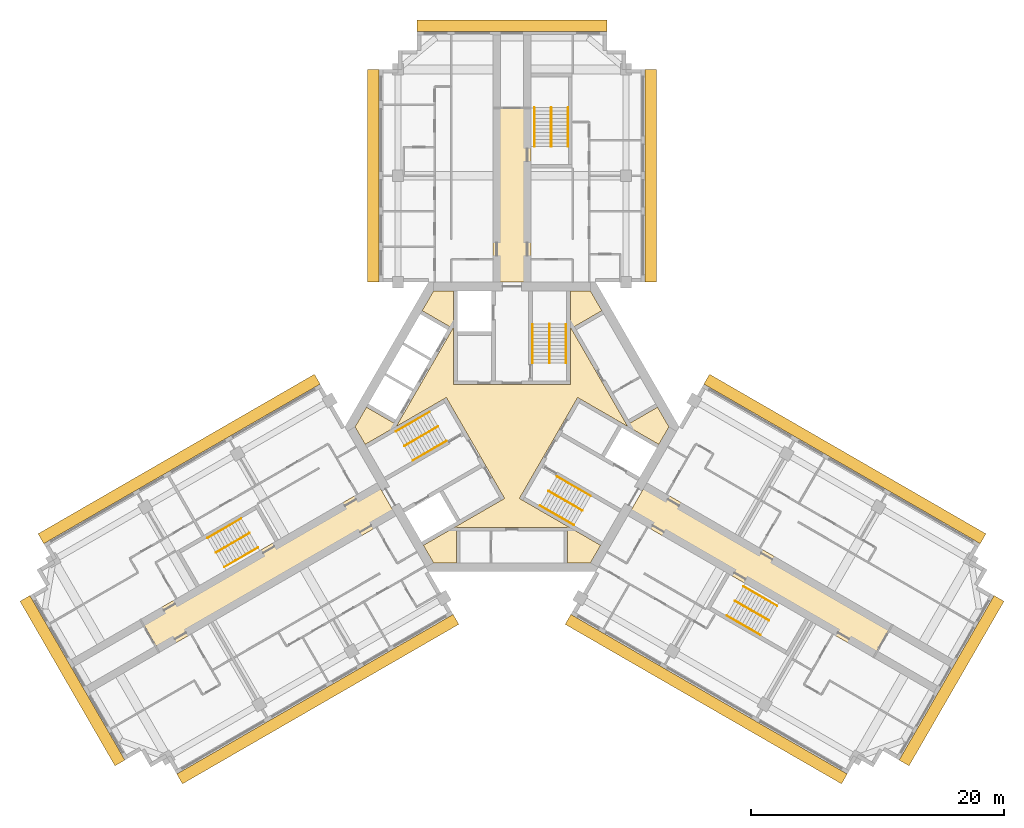
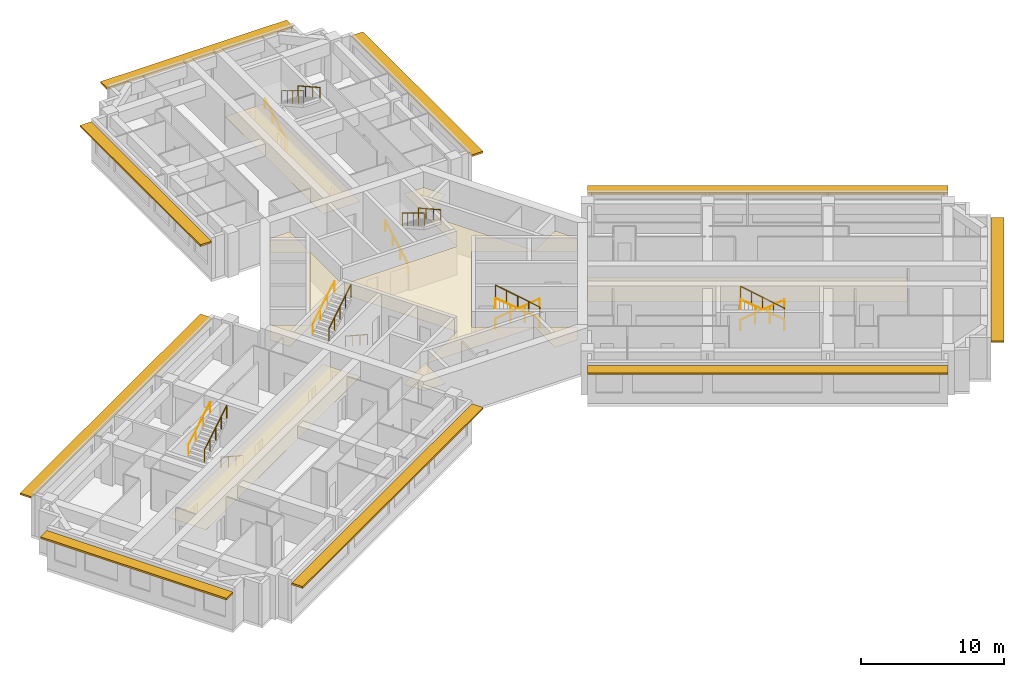
# One storey, part 10 of 10: 18 railings, 4 coverings, 3 shading devices.
"""IFC4 building model written with IfcOpenShell, lengths in metres."""

import ifcopenshell
import ifcopenshell.guid

model = None  # the IFC model being written
_history = None  # IfcOwnerHistory: only IFC2X3 demands one
_inside = {}  # id of a spatial element -> (the spatial element, [elements in it])
_under = {}  # id of a project, library or spatial element -> (it, [spatial elements below it])
_declared = {}  # id of a project -> (the project, [libraries it declares])
_typed = {}  # id of a type object -> (the type object, [elements of that type])
_made_of = {}  # id of a material, layer set ... -> (it, [elements and type objects made of it])


def new_model(schema):
    """Start an empty IFC model of exactly this schema.

    Asked for "IFC4X3", IfcOpenShell would pick the latest addendum, in which some entities
    have other attributes; the version numbers below select the first issue.
    IFC2X3 requires an IfcOwnerHistory on every rooted entity: one is made here for all.
    """
    global model, _history
    if schema == "IFC4X3":
        model = ifcopenshell.file(schema_version=(4, 3, 0, 0))
    else:
        model = ifcopenshell.file(schema=schema)
    _inside.clear()
    _under.clear()
    _declared.clear()
    _typed.clear()
    _made_of.clear()
    _history = None
    if model.schema == "IFC2X3":
        org = make("IfcOrganization", Name="unknown")
        user = make(
            "IfcPersonAndOrganization",
            ThePerson=make("IfcPerson", FamilyName="unknown"),
            TheOrganization=org,
        )
        app = make(
            "IfcApplication",
            ApplicationDeveloper=org,
            Version="unknown",
            ApplicationFullName="unknown",
            ApplicationIdentifier="unknown",
        )
        _history = make(
            "IfcOwnerHistory",
            OwningUser=user,
            OwningApplication=app,
            ChangeAction="ADDED",
            CreationDate=0,
        )
    return model


def make(cls, **values):
    """One entity of the class cls with the attributes given. An attribute that is None is left unset."""
    return model.create_entity(
        cls, **{name: value for name, value in values.items() if value is not None}
    )


def rooted(cls, **values):
    """An entity with a GlobalId (a new one), such as an element, a storey or a relation."""
    return make(cls, GlobalId=ifcopenshell.guid.new(), OwnerHistory=_history, **values)


def si_unit(unit_type, name, prefix=None):
    """IfcSIUnit, for example si_unit("LENGTHUNIT", "METRE", prefix="MILLI")."""
    return make("IfcSIUnit", UnitType=unit_type, Prefix=prefix, Name=name)


def assignment(units):
    """IfcUnitAssignment: the units of a project."""
    return None if units is None else make("IfcUnitAssignment", Units=units)


def point(xyz):
    """IfcCartesianPoint."""
    return None if xyz is None else make("IfcCartesianPoint", Coordinates=xyz)


def direction(xyz):
    """IfcDirection."""
    return None if xyz is None else make("IfcDirection", DirectionRatios=xyz)


def frame(location, z_axis=None, x_axis=None):
    """IfcAxis2Placement3D, a coordinate frame: its origin and axes. An axis left out is left unset."""
    return make(
        "IfcAxis2Placement3D",
        Location=point(location),
        Axis=direction(z_axis),
        RefDirection=direction(x_axis),
    )


def frame_2d(location, x_axis=None):
    """IfcAxis2Placement2D, a coordinate frame in the plane: its origin and x axis."""
    return make(
        "IfcAxis2Placement2D", Location=point(location), RefDirection=direction(x_axis)
    )


def origin():
    """The frame at (0, 0, 0) with its axes left unset."""
    return frame((0.0, 0.0, 0.0))


def origin_2d():
    """The frame at (0, 0) in the plane with its x axis left unset."""
    return frame_2d((0.0, 0.0))


def place(relative_to, where):
    """IfcLocalPlacement: puts the frame where relative to a parent placement (None: the world)."""
    return make(
        "IfcLocalPlacement", PlacementRelTo=relative_to, RelativePlacement=where
    )


def context(
    kind, dimensions, precision=None, world=None, true_north=None, identifier=None
):
    """IfcGeometricRepresentationContext, for example the 3D "Model" context."""
    return make(
        "IfcGeometricRepresentationContext",
        ContextIdentifier=identifier,
        ContextType=kind,
        CoordinateSpaceDimension=dimensions,
        Precision=precision,
        WorldCoordinateSystem=world,
        TrueNorth=true_north,
    )


def subcontext(parent, identifier, kind, view, scale=None):
    """IfcGeometricRepresentationSubContext, for example "Body" below "Model"."""
    return make(
        "IfcGeometricRepresentationSubContext",
        ContextIdentifier=identifier,
        ContextType=kind,
        ParentContext=parent,
        TargetScale=scale,
        TargetView=view,
    )


def project(units=None, contexts=None):
    """IfcProject with its units and contexts."""
    return rooted(
        "IfcProject",
        Name="project",
        RepresentationContexts=contexts,
        UnitsInContext=assignment(units),
    )


def spatial(cls, under=None, at=None, **own):
    """A site, building, storey or space (cls), placed at a placement, below another one or the project."""
    s = rooted(cls, ObjectPlacement=at, **own)
    if under is not None:
        _under.setdefault(under.id(), (under, []))[1].append(s)
    return s


def polyline(points):
    """IfcPolyline through the points."""
    return make("IfcPolyline", Points=[point(p) for p in points])


def profile(cls, at=None, kind="AREA", **sizes):
    """A parametric profile (cls). Its sizes go by their IFC names, for example OverallWidth=200.0."""
    return make(cls, ProfileType=kind, Position=at, **sizes)


def rectangle(**sizes):
    """IfcRectangleProfileDef."""
    return profile("IfcRectangleProfileDef", **sizes)


def circle(**sizes):
    """IfcCircleProfileDef."""
    return profile("IfcCircleProfileDef", **sizes)


def outline(outer, holes=None, kind="AREA"):
    """IfcArbitraryClosedProfileDef: a profile drawn as a closed curve; with holes, ...WithVoids."""
    if holes is None:
        return make("IfcArbitraryClosedProfileDef", ProfileType=kind, OuterCurve=outer)
    return make(
        "IfcArbitraryProfileDefWithVoids",
        ProfileType=kind,
        OuterCurve=outer,
        InnerCurves=holes,
    )


def extrude(swept, where, along, depth):
    """IfcExtrudedAreaSolid: the profile swept, set in the frame where, extruded along a direction by depth."""
    return make(
        "IfcExtrudedAreaSolid",
        SweptArea=swept,
        Position=where,
        ExtrudedDirection=direction(along),
        Depth=depth,
    )


def shape(context_of_items, identifier, shape_type, items):
    """IfcShapeRepresentation: the items that make up one representation, for example the "Body"."""
    return make(
        "IfcShapeRepresentation",
        ContextOfItems=context_of_items,
        RepresentationIdentifier=identifier,
        RepresentationType=shape_type,
        Items=items,
    )


def material(Name=None, Category=None):
    """IfcMaterial."""
    return make("IfcMaterial", Name=Name, Category=Category)


def layer(
    of_material, thickness, ventilated=None, Name=None, Category=None, Priority=None
):
    """IfcMaterialLayer: one layer of a wall or slab, of a material (None: an air gap)."""
    return make(
        "IfcMaterialLayer",
        Material=of_material,
        LayerThickness=thickness,
        IsVentilated=ventilated,
        Name=Name,
        Category=Category,
        Priority=Priority,
    )


def layer_set(layers, Name=None):
    """IfcMaterialLayerSet."""
    return make("IfcMaterialLayerSet", MaterialLayers=layers, LayerSetName=Name)


def made_of(thing, what):
    """Note that an element or type object is made of a material, layer set ...; save() writes the relation."""
    if what is not None:
        _made_of.setdefault(what.id(), (what, []))[1].append(thing)
    return thing


def type_object(cls, material=None, **own):
    """A type object (cls), such as IfcWallType, which elements share."""
    return made_of(rooted(cls, **own), material)


def element(
    cls,
    number,
    at=None,
    inside=None,
    cuts=None,
    type_object=None,
    material=None,
    context=None,
    identifier="Body",
    shape_type=None,
    held_by="IfcProductDefinitionShape",
    body=None,
    shapes=None,
    **own,
):
    """One element of the class cls, such as IfcWall. Its Tag is "e" and its number.

    at: its placement. inside: the storey or other place that contains it. cuts: it is an
    opening in that element (IfcRelVoidsElement). A single representation is given by context,
    identifier, shape_type and body (its items); several are given by shapes. held_by: the class
    of the entity that holds the representations. save() writes the other relations.
    """
    e = rooted(cls, Tag="e%d" % number, ObjectPlacement=at, **own)
    if body is not None:
        shapes = [shape(context, identifier, shape_type, body)]
    if shapes is not None:
        e.Representation = make(held_by, Representations=shapes)
    if inside is not None:
        _inside.setdefault(inside.id(), (inside, []))[1].append(e)
    if cuts is not None:
        rooted(
            "IfcRelVoidsElement", RelatingBuildingElement=cuts, RelatedOpeningElement=e
        )
    if type_object is not None:
        _typed.setdefault(type_object.id(), (type_object, []))[1].append(e)
    return made_of(e, material)


def aggregate(whole, parts):
    """IfcRelAggregates: a whole, such as a stair, and the parts it consists of."""
    return rooted("IfcRelAggregates", RelatingObject=whole, RelatedObjects=parts)


def save(model, path):
    """Write the relations noted so far, then the file.

    IfcRelAggregates (storeys below a building ...), IfcRelContainedInSpatialStructure (elements
    in a storey), IfcRelDefinesByType, IfcRelAssociatesMaterial and IfcRelDeclares: one each for
    every whole, place, type object, material and project.
    """
    for whole, parts in _under.values():
        aggregate(whole, parts)
    for where, things in _inside.values():
        rooted(
            "IfcRelContainedInSpatialStructure",
            RelatedElements=things,
            RelatingStructure=where,
        )
    for kind, things in _typed.values():
        rooted("IfcRelDefinesByType", RelatedObjects=things, RelatingType=kind)
    for what, things in _made_of.values():
        rooted("IfcRelAssociatesMaterial", RelatedObjects=things, RelatingMaterial=what)
    for by, libraries in _declared.values():
        rooted("IfcRelDeclares", RelatingContext=by, RelatedDefinitions=libraries)
    model.write(path)


model = new_model("IFC4")

# Units and contexts
model_context = context("Model", 3, precision=1e-05, world=origin(), true_north=direction((0.0, 1.0)))
body_context = subcontext(model_context, "Body", "Model", "MODEL_VIEW")
ifc_project = project(units=[si_unit("LENGTHUNIT", "METRE"), si_unit("AREAUNIT", "SQUARE_METRE"), si_unit("VOLUMEUNIT", "CUBIC_METRE"), si_unit("PLANEANGLEUNIT", "RADIAN"), si_unit("MASSUNIT", "GRAM", prefix="KILO")], contexts=[model_context])

# Site, building, storey
site_placement = place(None, origin())
site = spatial("IfcSite", under=ifc_project, at=site_placement, CompositionType="ELEMENT")
building_placement = place(site_placement, origin())
building = spatial("IfcBuilding", under=site, at=building_placement, Name="Impinga Residences", CompositionType="ELEMENT")
storey_placement = place(building_placement, frame((0.0, 0.0, 196.0)))
storey = spatial("IfcBuildingStorey", under=building, at=storey_placement, Name="L48", CompositionType="ELEMENT", Elevation=196.0)

# Coverings
ifc_material_1 = material(Name="Plasterboard 15 mm on steel hangers", Category="steel")
ifc_layer_1 = layer(ifc_material_1, 0.014892578125)
ifc_layer_set_1 = layer_set([ifc_layer_1], Name="Plasterboard 15 mm on steel hangers")
covering_type_1 = type_object("IfcCoveringType", Name="CL1 corridor ceiling, 15 mm plasterboard on hangers", PredefinedType="CEILING", material=ifc_layer_set_1)
covering_1_placement = place(storey_placement, frame((0.0, 0.0, 2.39990234375)))
element("IfcCovering", 1, at=covering_1_placement, inside=storey, type_object=covering_type_1, Name="Corridor ceiling CL1 L48-N00", PredefinedType="CEILING", context=body_context, shape_type="SweptSolid", body=[
    extrude(outline(polyline([(-1.5, 11.431640625), (1.5, 11.431640625), (1.5, 25.131591796875), (-1.5, 25.131591796875), (-1.5, 11.431640625)])), origin(), (0.0, 0.0, 1.0), 0.01513671875),
])
covering_2_placement = place(storey_placement, frame((0.0, 0.0, 2.39990234375)))
element("IfcCovering", 2, at=covering_2_placement, inside=storey, type_object=covering_type_1, Name="Corridor ceiling CL1 L48-W00", PredefinedType="CEILING", context=body_context, shape_type="SweptSolid", body=[
    extrude(outline(polyline([(-9.14990234375, -7.014892578125), (-10.64990234375, -4.416748046875), (-29.312744140625, -15.191650390625), (-27.812744140625, -17.789794921875), (-9.14990234375, -7.014892578125)])), origin(), (0.0, 0.0, 1.0), 0.01513671875),
])
covering_3_placement = place(storey_placement, frame((0.0, 0.0, 2.39990234375)))
element("IfcCovering", 3, at=covering_3_placement, inside=storey, type_object=covering_type_1, Name="Corridor ceiling CL1 L48-E00", PredefinedType="CEILING", context=body_context, shape_type="SweptSolid", body=[
    extrude(outline(polyline([(10.64990234375, -4.416748046875), (9.14990234375, -7.014892578125), (28.505615234375, -18.189697265625), (30.005615234375, -15.591796875), (10.64990234375, -4.416748046875)])), origin(), (0.0, 0.0, 1.0), 0.01513671875),
])
ifc_material_2 = material(Name="Mineral fibre tiles 20 mm on exposed grid", Category="mineral fibre")
ifc_layer_2 = layer(ifc_material_2, 0.02001953125)
ifc_layer_set_2 = layer_set([ifc_layer_2], Name="CL2 lift lobby ceiling, 20 mm mineral fibre tiles")
covering_type_2 = type_object("IfcCoveringType", Name="CL2 lift lobby ceiling, 20 mm mineral fibre tiles", PredefinedType="CEILING", material=ifc_layer_set_2)
covering_4_placement = place(storey_placement, frame((0.0, 0.0, 2.39990234375)))
element("IfcCovering", 4, at=covering_4_placement, inside=storey, type_object=covering_type_2, Name="Lift lobby ceiling CL2 L48-C01", PredefinedType="CEILING", context=body_context, shape_type="SweptSolid", body=[
    extrude(outline(polyline([(12.3916015625, 0.0), (11.59375, -1.382080078125), (5.183837890625, 2.318603515625), (0.583984375, -5.648681640625), (6.993896484375, -9.349365234375), (6.19580078125, -10.7314453125), (4.39990234375, -10.7314453125), (4.39990234375, -7.931640625), (-4.39990234375, -7.931640625), (-4.39990234375, -10.7314453125), (-6.19580078125, -10.7314453125), (-6.993896484375, -9.349365234375), (-0.583984375, -5.648681640625), (-5.183837890625, 2.318603515625), (-11.59375, -1.382080078125), (-12.3916015625, 0.0), (-11.493896484375, 1.55517578125), (-9.06884765625, 0.1552734375), (-4.6689453125, 7.7763671875), (-7.09375, 9.17626953125), (-6.19580078125, 10.7314453125), (-4.60009765625, 10.7314453125), (-4.60009765625, 3.330078125), (4.60009765625, 3.330078125), (4.60009765625, 10.7314453125), (6.19580078125, 10.7314453125), (7.09375, 9.17626953125), (4.6689453125, 7.7763671875), (9.06884765625, 0.1552734375), (11.493896484375, 1.55517578125), (12.3916015625, 0.0)])), origin(), (0.0, 0.0, 1.0), 0.02001953125),
])

# Railings
ifc_material_3 = material(Name="Steel guard, powder coated", Category="steel")
railing_type_1 = type_object("IfcRailingType", Name="GR1 stair guard 1100", PredefinedType="GUARDRAIL", material=ifc_material_3)
railing_1_placement = place(storey_placement, frame((2.949951171875, 8.110107421875, 1.875)))
element("IfcRailing", 5, at=railing_1_placement, inside=storey, type_object=railing_type_1, Name="Stair guard GR1 ST1 L48", PredefinedType="GUARDRAIL", context=body_context, shape_type="SweptSolid", body=[
    extrude(circle(Radius=0.02392578125, at=origin_2d()), frame((0.0, 0.0, 1.076171875), z_axis=(0.0, -0.854177636135, 0.519981313056), x_axis=(1.0, 0.0, 0.0)), (0.0, 0.0, 1.0), 3.60595703125),
    extrude(circle(Radius=0.02099609375, at=origin_2d()), origin(), (0.0, 0.0, 1.0), 1.052001953125),
    extrude(circle(Radius=0.02099609375, at=origin_2d()), frame((0.0, -0.77001953125, 0.46875)), (0.0, 0.0, 1.0), 1.052001953125),
    extrude(circle(Radius=0.02099609375, at=origin_2d()), frame((0.0, -1.5400390625, 0.9375)), (0.0, 0.0, 1.0), 1.052001953125),
    extrude(circle(Radius=0.02099609375, at=origin_2d()), frame((0.0, -2.31005859375, 1.40625)), (0.0, 0.0, 1.0), 1.052001953125),
    extrude(circle(Radius=0.02099609375, at=origin_2d()), frame((0.0, -3.080078125, 1.875)), (0.0, 0.0, 1.0), 1.052001953125),
])
railing_2_placement = place(storey_placement, frame((-8.49853515625, -1.500244140625, 1.875)))
element("IfcRailing", 6, at=railing_2_placement, inside=storey, type_object=railing_type_1, Name="Stair guard GR1 ST2 L48", PredefinedType="GUARDRAIL", context=body_context, shape_type="SweptSolid", body=[
    extrude(circle(Radius=0.02392578125, at=origin_2d()), frame((0.0, 0.0, 1.076171875), z_axis=(0.739746383972, 0.427084037168, 0.519975492303), x_axis=(-0.499992328818, 0.866029832698, 0.0)), (0.0, 0.0, 1.0), 3.60595703125),
    extrude(circle(Radius=0.02099609375, at=origin_2d()), origin(), (0.0, 0.0, 1.0), 1.052001953125),
    extrude(circle(Radius=0.02099609375, at=origin_2d()), frame((0.6669921875, 0.385009765625, 0.46875)), (0.0, 0.0, 1.0), 1.052001953125),
    extrude(circle(Radius=0.02099609375, at=origin_2d()), frame((1.333740234375, 0.77001953125, 0.9375)), (0.0, 0.0, 1.0), 1.052001953125),
    extrude(circle(Radius=0.02099609375, at=origin_2d()), frame((2.00048828125, 1.155029296875, 1.40625)), (0.0, 0.0, 1.0), 1.052001953125),
    extrude(circle(Radius=0.02099609375, at=origin_2d()), frame((2.66748046875, 1.5400390625, 1.875)), (0.0, 0.0, 1.0), 1.052001953125),
])
railing_3_placement = place(storey_placement, frame((5.548583984375, -6.60986328125, 1.875)))
element("IfcRailing", 7, at=railing_3_placement, inside=storey, type_object=railing_type_1, Name="Stair guard GR1 ST3 L48", PredefinedType="GUARDRAIL", context=body_context, shape_type="SweptSolid", body=[
    extrude(circle(Radius=0.02392578125, at=origin_2d()), frame((0.0, 0.0, 1.076171875), z_axis=(-0.739746383972, 0.427084037168, 0.519975492303), x_axis=(-0.499992328818, -0.866029832698, 0.0)), (0.0, 0.0, 1.0), 3.60595703125),
    extrude(circle(Radius=0.02099609375, at=origin_2d()), origin(), (0.0, 0.0, 1.0), 1.052001953125),
    extrude(circle(Radius=0.02099609375, at=origin_2d()), frame((-0.6669921875, 0.385009765625, 0.46875)), (0.0, 0.0, 1.0), 1.052001953125),
    extrude(circle(Radius=0.02099609375, at=origin_2d()), frame((-1.333740234375, 0.77001953125, 0.9375)), (0.0, 0.0, 1.0), 1.052001953125),
    extrude(circle(Radius=0.02099609375, at=origin_2d()), frame((-2.00048828125, 1.155029296875, 1.40625)), (0.0, 0.0, 1.0), 1.052001953125),
    extrude(circle(Radius=0.02099609375, at=origin_2d()), frame((-2.66748046875, 1.5400390625, 1.875)), (0.0, 0.0, 1.0), 1.052001953125),
])
railing_4_placement = place(storey_placement, frame((3.10009765625, 25.21142578125, 1.875)))
element("IfcRailing", 8, at=railing_4_placement, inside=storey, type_object=railing_type_1, Name="Stair guard GR1 WS1 L48", PredefinedType="GUARDRAIL", context=body_context, shape_type="SweptSolid", body=[
    extrude(circle(Radius=0.02392578125, at=origin_2d()), frame((0.0, 0.0, 1.076171875), z_axis=(0.0, -0.854159328187, 0.520011386482), x_axis=(1.0, 0.0, 0.0)), (0.0, 0.0, 1.0), 3.605712890625),
    extrude(circle(Radius=0.02099609375, at=origin_2d()), origin(), (0.0, 0.0, 1.0), 1.052001953125),
    extrude(circle(Radius=0.02099609375, at=origin_2d()), frame((0.0, -0.77001953125, 0.46875)), (0.0, 0.0, 1.0), 1.052001953125),
    extrude(circle(Radius=0.02099609375, at=origin_2d()), frame((0.0, -1.5400390625, 0.9375)), (0.0, 0.0, 1.0), 1.052001953125),
    extrude(circle(Radius=0.02099609375, at=origin_2d()), frame((0.0, -2.309814453125, 1.40625)), (0.0, 0.0, 1.0), 1.052001953125),
    extrude(circle(Radius=0.02099609375, at=origin_2d()), frame((0.0, -3.079833984375, 1.875)), (0.0, 0.0, 1.0), 1.052001953125),
])
railing_5_placement = place(storey_placement, frame((-23.3837890625, -9.921142578125, 1.875)))
element("IfcRailing", 9, at=railing_5_placement, inside=storey, type_object=railing_type_1, Name="Stair guard GR1 WS2 L48", PredefinedType="GUARDRAIL", context=body_context, shape_type="SweptSolid", body=[
    extrude(circle(Radius=0.02392578125, at=origin_2d()), frame((0.0, 0.0, 1.076171875), z_axis=(0.739715726454, 0.427105428144, 0.52000153585), x_axis=(-0.500026652407, 0.866010015463, 0.0)), (0.0, 0.0, 1.0), 3.605712890625),
    extrude(circle(Radius=0.02099609375, at=origin_2d()), origin(), (0.0, 0.0, 1.0), 1.052001953125),
    extrude(circle(Radius=0.02099609375, at=origin_2d()), frame((0.666748046875, 0.385009765625, 0.46875)), (0.0, 0.0, 1.0), 1.052001953125),
    extrude(circle(Radius=0.02099609375, at=origin_2d()), frame((1.33349609375, 0.77001953125, 0.9375)), (0.0, 0.0, 1.0), 1.052001953125),
    extrude(circle(Radius=0.02099609375, at=origin_2d()), frame((2.00048828125, 1.155029296875, 1.40625)), (0.0, 0.0, 1.0), 1.052001953125),
    extrude(circle(Radius=0.02099609375, at=origin_2d()), frame((2.667236328125, 1.5400390625, 1.875)), (0.0, 0.0, 1.0), 1.052001953125),
])
railing_6_placement = place(storey_placement, frame((20.283935546875, -15.29052734375, 1.875)))
element("IfcRailing", 10, at=railing_6_placement, inside=storey, type_object=railing_type_1, Name="Stair guard GR1 WS3 L48", PredefinedType="GUARDRAIL", context=body_context, shape_type="SweptSolid", body=[
    extrude(circle(Radius=0.02392578125, at=origin_2d()), frame((0.0, 0.0, 1.076171875), z_axis=(-0.739746383972, 0.427084037168, 0.519975492303), x_axis=(-0.499992328818, -0.866029832698, 0.0)), (0.0, 0.0, 1.0), 3.60595703125),
    extrude(circle(Radius=0.02099609375, at=origin_2d()), origin(), (0.0, 0.0, 1.0), 1.052001953125),
    extrude(circle(Radius=0.02099609375, at=origin_2d()), frame((-0.6669921875, 0.385009765625, 0.46875)), (0.0, 0.0, 1.0), 1.052001953125),
    extrude(circle(Radius=0.02099609375, at=origin_2d()), frame((-1.333740234375, 0.77001953125, 0.9375)), (0.0, 0.0, 1.0), 1.052001953125),
    extrude(circle(Radius=0.02099609375, at=origin_2d()), frame((-2.00048828125, 1.155029296875, 1.40625)), (0.0, 0.0, 1.0), 1.052001953125),
    extrude(circle(Radius=0.02099609375, at=origin_2d()), frame((-2.66748046875, 1.5400390625, 1.875)), (0.0, 0.0, 1.0), 1.052001953125),
])
ifc_material_4 = material(Name="Steel handrail tube 42 mm, powder coated", Category="steel")
railing_type_2 = type_object("IfcRailingType", Name="HR1 stair handrail, 42 mm steel tube, 900 above the pitch line", PredefinedType="HANDRAIL", material=ifc_material_4)
railing_7_placement = place(storey_placement, frame((1.62109375, 5.030029296875, 0.15625)))
element("IfcRailing", 11, at=railing_7_placement, inside=storey, type_object=railing_type_2, Name="Stair handrail HR1 ST1 L48", PredefinedType="HANDRAIL", context=body_context, shape_type="SweptSolid", body=[
    extrude(circle(Radius=0.02099609375, at=origin_2d()), frame((0.0, 0.0, 0.87890625), z_axis=(0.0, 0.873241540666, 0.487287606713), x_axis=(-1.0, 0.0, 0.0)), (0.0, 0.0, 1.0), 3.527099609375),
    extrude(circle(Radius=0.012451171875, at=origin_2d()), origin(), (0.0, 0.0, 1.0), 0.85791015625),
    extrude(circle(Radius=0.012451171875, at=origin_2d()), frame((0.0, 1.026611328125, 0.572998046875)), (0.0, 0.0, 1.0), 0.85791015625),
    extrude(circle(Radius=0.012451171875, at=origin_2d()), frame((0.0, 2.053466796875, 1.145751953125)), (0.0, 0.0, 1.0), 0.85791015625),
    extrude(circle(Radius=0.012451171875, at=origin_2d()), frame((0.0, 3.080078125, 1.71875)), (0.0, 0.0, 1.0), 0.85791015625),
])
railing_8_placement = place(storey_placement, frame((4.279052734375, 8.110107421875, 2.03125)))
element("IfcRailing", 12, at=railing_8_placement, inside=storey, type_object=railing_type_2, Name="Stair handrail HR1 ST1 L48", PredefinedType="HANDRAIL", context=body_context, shape_type="SweptSolid", body=[
    extrude(circle(Radius=0.02099609375, at=origin_2d()), frame((0.0, 0.0, 0.87890625), z_axis=(0.0, -0.873241540666, 0.487287606713), x_axis=(1.0, 0.0, 0.0)), (0.0, 0.0, 1.0), 3.527099609375),
    extrude(circle(Radius=0.012451171875, at=origin_2d()), origin(), (0.0, 0.0, 1.0), 0.85791015625),
    extrude(circle(Radius=0.012451171875, at=origin_2d()), frame((0.0, -1.026611328125, 0.572998046875)), (0.0, 0.0, 1.0), 0.85791015625),
    extrude(circle(Radius=0.012451171875, at=origin_2d()), frame((0.0, -2.053466796875, 1.145751953125)), (0.0, 0.0, 1.0), 0.85791015625),
    extrude(circle(Radius=0.012451171875, at=origin_2d()), frame((0.0, -3.080078125, 1.71875)), (0.0, 0.0, 1.0), 0.85791015625),
])
railing_9_placement = place(storey_placement, frame((-5.16650390625, -1.111083984375, 0.15625)))
element("IfcRailing", 13, at=railing_9_placement, inside=storey, type_object=railing_type_2, Name="Stair handrail HR1 ST2 L48", PredefinedType="HANDRAIL", context=body_context, shape_type="SweptSolid", body=[
    extrude(circle(Radius=0.02099609375, at=origin_2d()), frame((0.0, 0.0, 0.87890625), z_axis=(-0.756255980417, -0.436615662133, 0.487281905742), x_axis=(0.499992328818, -0.866029832698, 0.0)), (0.0, 0.0, 1.0), 3.527099609375),
    extrude(circle(Radius=0.012451171875, at=origin_2d()), origin(), (0.0, 0.0, 1.0), 0.85791015625),
    extrude(circle(Radius=0.012451171875, at=origin_2d()), frame((-0.88916015625, -0.513427734375, 0.572998046875)), (0.0, 0.0, 1.0), 0.85791015625),
    extrude(circle(Radius=0.012451171875, at=origin_2d()), frame((-1.7783203125, -1.026611328125, 1.145751953125)), (0.0, 0.0, 1.0), 0.85791015625),
    extrude(circle(Radius=0.012451171875, at=origin_2d()), frame((-2.66748046875, -1.5400390625, 1.71875)), (0.0, 0.0, 1.0), 0.85791015625),
])
railing_10_placement = place(storey_placement, frame((-9.1630859375, -0.349365234375, 2.03125)))
element("IfcRailing", 14, at=railing_10_placement, inside=storey, type_object=railing_type_2, Name="Stair handrail HR1 ST2 L48", PredefinedType="HANDRAIL", context=body_context, shape_type="SweptSolid", body=[
    extrude(circle(Radius=0.02099609375, at=origin_2d()), frame((0.0, 0.0, 0.87890625), z_axis=(0.756255980417, 0.436615662133, 0.487281905742), x_axis=(-0.499992328818, 0.866029832698, 0.0)), (0.0, 0.0, 1.0), 3.527099609375),
    extrude(circle(Radius=0.012451171875, at=origin_2d()), origin(), (0.0, 0.0, 1.0), 0.85791015625),
    extrude(circle(Radius=0.012451171875, at=origin_2d()), frame((0.88916015625, 0.513427734375, 0.572998046875)), (0.0, 0.0, 1.0), 0.85791015625),
    extrude(circle(Radius=0.012451171875, at=origin_2d()), frame((1.7783203125, 1.026611328125, 1.145751953125)), (0.0, 0.0, 1.0), 0.85791015625),
    extrude(circle(Radius=0.012451171875, at=origin_2d()), frame((2.66748046875, 1.5400390625, 1.71875)), (0.0, 0.0, 1.0), 0.85791015625),
])
railing_11_placement = place(storey_placement, frame((3.545654296875, -3.9189453125, 0.15625)))
element("IfcRailing", 15, at=railing_11_placement, inside=storey, type_object=railing_type_2, Name="Stair handrail HR1 ST3 L48", PredefinedType="HANDRAIL", context=body_context, shape_type="SweptSolid", body=[
    extrude(circle(Radius=0.02099609375, at=origin_2d()), frame((0.0, 0.0, 0.87890625), z_axis=(0.756249203677, -0.436582492228, 0.487322141317), x_axis=(0.499967199496, 0.866044340336, 0.0)), (0.0, 0.0, 1.0), 3.52685546875),
    extrude(circle(Radius=0.012451171875, at=origin_2d()), origin(), (0.0, 0.0, 1.0), 0.85791015625),
    extrude(circle(Radius=0.012451171875, at=origin_2d()), frame((0.88916015625, -0.51318359375, 0.572998046875)), (0.0, 0.0, 1.0), 0.85791015625),
    extrude(circle(Radius=0.012451171875, at=origin_2d()), frame((1.778076171875, -1.026611328125, 1.145751953125)), (0.0, 0.0, 1.0), 0.85791015625),
    extrude(circle(Radius=0.012451171875, at=origin_2d()), frame((2.667236328125, -1.539794921875, 1.71875)), (0.0, 0.0, 1.0), 0.85791015625),
])
railing_12_placement = place(storey_placement, frame((4.884033203125, -7.7607421875, 2.03125)))
element("IfcRailing", 16, at=railing_12_placement, inside=storey, type_object=railing_type_2, Name="Stair handrail HR1 ST3 L48", PredefinedType="HANDRAIL", context=body_context, shape_type="SweptSolid", body=[
    extrude(circle(Radius=0.02099609375, at=origin_2d()), frame((0.0, 0.0, 0.87890625), z_axis=(-0.756255980417, 0.436615662133, 0.487281905742), x_axis=(-0.499992328818, -0.866029832698, 0.0)), (0.0, 0.0, 1.0), 3.527099609375),
    extrude(circle(Radius=0.012451171875, at=origin_2d()), origin(), (0.0, 0.0, 1.0), 0.85791015625),
    extrude(circle(Radius=0.012451171875, at=origin_2d()), frame((-0.88916015625, 0.513427734375, 0.572998046875)), (0.0, 0.0, 1.0), 0.85791015625),
    extrude(circle(Radius=0.012451171875, at=origin_2d()), frame((-1.7783203125, 1.026611328125, 1.145751953125)), (0.0, 0.0, 1.0), 0.85791015625),
    extrude(circle(Radius=0.012451171875, at=origin_2d()), frame((-2.66748046875, 1.5400390625, 1.71875)), (0.0, 0.0, 1.0), 0.85791015625),
])
railing_13_placement = place(storey_placement, frame((1.77099609375, 22.131591796875, 0.15625)))
element("IfcRailing", 17, at=railing_13_placement, inside=storey, type_object=railing_type_2, Name="Stair handrail HR1 WS1 L48", PredefinedType="HANDRAIL", context=body_context, shape_type="SweptSolid", body=[
    extrude(circle(Radius=0.02099609375, at=origin_2d()), frame((0.0, 0.0, 0.87890625), z_axis=(0.0, 0.873225103656, 0.487317061414), x_axis=(-1.0, 0.0, 0.0)), (0.0, 0.0, 1.0), 3.52685546875),
    extrude(circle(Radius=0.012451171875, at=origin_2d()), origin(), (0.0, 0.0, 1.0), 0.85791015625),
    extrude(circle(Radius=0.012451171875, at=origin_2d()), frame((0.0, 1.026611328125, 0.572998046875)), (0.0, 0.0, 1.0), 0.85791015625),
    extrude(circle(Radius=0.012451171875, at=origin_2d()), frame((0.0, 2.05322265625, 1.145751953125)), (0.0, 0.0, 1.0), 0.85791015625),
    extrude(circle(Radius=0.012451171875, at=origin_2d()), frame((0.0, 3.079833984375, 1.71875)), (0.0, 0.0, 1.0), 0.85791015625),
])
railing_14_placement = place(storey_placement, frame((4.428955078125, 25.21142578125, 2.03125)))
element("IfcRailing", 18, at=railing_14_placement, inside=storey, type_object=railing_type_2, Name="Stair handrail HR1 WS1 L48", PredefinedType="HANDRAIL", context=body_context, shape_type="SweptSolid", body=[
    extrude(circle(Radius=0.02099609375, at=origin_2d()), frame((0.0, 0.0, 0.87890625), z_axis=(0.0, -0.873225103656, 0.487317061414), x_axis=(1.0, 0.0, 0.0)), (0.0, 0.0, 1.0), 3.52685546875),
    extrude(circle(Radius=0.012451171875, at=origin_2d()), origin(), (0.0, 0.0, 1.0), 0.85791015625),
    extrude(circle(Radius=0.012451171875, at=origin_2d()), frame((0.0, -1.026611328125, 0.572998046875)), (0.0, 0.0, 1.0), 0.85791015625),
    extrude(circle(Radius=0.012451171875, at=origin_2d()), frame((0.0, -2.05322265625, 1.145751953125)), (0.0, 0.0, 1.0), 0.85791015625),
    extrude(circle(Radius=0.012451171875, at=origin_2d()), frame((0.0, -3.079833984375, 1.71875)), (0.0, 0.0, 1.0), 0.85791015625),
])
railing_15_placement = place(storey_placement, frame((-20.052001953125, -9.531982421875, 0.15625)))
element("IfcRailing", 19, at=railing_15_placement, inside=storey, type_object=railing_type_2, Name="Stair handrail HR1 WS2 L48", PredefinedType="HANDRAIL", context=body_context, shape_type="SweptSolid", body=[
    extrude(circle(Radius=0.02099609375, at=origin_2d()), frame((0.0, 0.0, 0.87890625), z_axis=(-0.756226348243, -0.436638517594, 0.487307413422), x_axis=(0.500026652407, -0.866010015463, 0.0)), (0.0, 0.0, 1.0), 3.527099609375),
    extrude(circle(Radius=0.012451171875, at=origin_2d()), origin(), (0.0, 0.0, 1.0), 0.85791015625),
    extrude(circle(Radius=0.012451171875, at=origin_2d()), frame((-0.88916015625, -0.513427734375, 0.572998046875)), (0.0, 0.0, 1.0), 0.85791015625),
    extrude(circle(Radius=0.012451171875, at=origin_2d()), frame((-1.778076171875, -1.026611328125, 1.145751953125)), (0.0, 0.0, 1.0), 0.85791015625),
    extrude(circle(Radius=0.012451171875, at=origin_2d()), frame((-2.667236328125, -1.5400390625, 1.71875)), (0.0, 0.0, 1.0), 0.85791015625),
])
railing_16_placement = place(storey_placement, frame((-24.04833984375, -8.77001953125, 2.03125)))
element("IfcRailing", 20, at=railing_16_placement, inside=storey, type_object=railing_type_2, Name="Stair handrail HR1 WS2 L48", PredefinedType="HANDRAIL", context=body_context, shape_type="SweptSolid", body=[
    extrude(circle(Radius=0.02099609375, at=origin_2d()), frame((0.0, 0.0, 0.87890625), z_axis=(0.756278834354, 0.436559638319, 0.487296631324), x_axis=(-0.499932877268, 0.866064153644, 0.0)), (0.0, 0.0, 1.0), 3.527099609375),
    extrude(circle(Radius=0.012451171875, at=origin_2d()), origin(), (0.0, 0.0, 1.0), 0.85791015625),
    extrude(circle(Radius=0.012451171875, at=origin_2d()), frame((0.88916015625, 0.51318359375, 0.572998046875)), (0.0, 0.0, 1.0), 0.85791015625),
    extrude(circle(Radius=0.012451171875, at=origin_2d()), frame((1.7783203125, 1.026611328125, 1.145751953125)), (0.0, 0.0, 1.0), 0.85791015625),
    extrude(circle(Radius=0.012451171875, at=origin_2d()), frame((2.66748046875, 1.539794921875, 1.71875)), (0.0, 0.0, 1.0), 0.85791015625),
])
railing_17_placement = place(storey_placement, frame((18.281005859375, -12.599609375, 0.15625)))
element("IfcRailing", 21, at=railing_17_placement, inside=storey, type_object=railing_type_2, Name="Stair handrail HR1 WS3 L48", PredefinedType="HANDRAIL", context=body_context, shape_type="SweptSolid", body=[
    extrude(circle(Radius=0.02099609375, at=origin_2d()), frame((0.0, 0.0, 0.87890625), z_axis=(0.756249203677, -0.436582492228, 0.487322141317), x_axis=(0.499967199496, 0.866044340336, 0.0)), (0.0, 0.0, 1.0), 3.52685546875),
    extrude(circle(Radius=0.012451171875, at=origin_2d()), origin(), (0.0, 0.0, 1.0), 0.85791015625),
    extrude(circle(Radius=0.012451171875, at=origin_2d()), frame((0.88916015625, -0.51318359375, 0.572998046875)), (0.0, 0.0, 1.0), 0.85791015625),
    extrude(circle(Radius=0.012451171875, at=origin_2d()), frame((1.778076171875, -1.026611328125, 1.145751953125)), (0.0, 0.0, 1.0), 0.85791015625),
    extrude(circle(Radius=0.012451171875, at=origin_2d()), frame((2.667236328125, -1.539794921875, 1.71875)), (0.0, 0.0, 1.0), 0.85791015625),
])
railing_18_placement = place(storey_placement, frame((19.619384765625, -16.44140625, 2.03125)))
element("IfcRailing", 22, at=railing_18_placement, inside=storey, type_object=railing_type_2, Name="Stair handrail HR1 WS3 L48", PredefinedType="HANDRAIL", context=body_context, shape_type="SweptSolid", body=[
    extrude(circle(Radius=0.02099609375, at=origin_2d()), frame((0.0, 0.0, 0.87890625), z_axis=(-0.756255980417, 0.436615662133, 0.487281905742), x_axis=(-0.499992328818, -0.866029832698, 0.0)), (0.0, 0.0, 1.0), 3.527099609375),
    extrude(circle(Radius=0.012451171875, at=origin_2d()), origin(), (0.0, 0.0, 1.0), 0.85791015625),
    extrude(circle(Radius=0.012451171875, at=origin_2d()), frame((-0.88916015625, 0.513427734375, 0.572998046875)), (0.0, 0.0, 1.0), 0.85791015625),
    extrude(circle(Radius=0.012451171875, at=origin_2d()), frame((-1.7783203125, 1.026611328125, 1.145751953125)), (0.0, 0.0, 1.0), 0.85791015625),
    extrude(circle(Radius=0.012451171875, at=origin_2d()), frame((-2.66748046875, 1.5400390625, 1.71875)), (0.0, 0.0, 1.0), 0.85791015625),
])

# Shading devices
ifc_material_5 = material(Name="Terracotta sunshade blades on aluminium brackets", Category="masonry")
ifc_layer_3 = layer(ifc_material_5, 0.14990234375)
ifc_layer_set_3 = layer_set([ifc_layer_3], Name="SS1 SUNSHADE terracotta sunshade band 900")
shading_device_type = type_object("IfcShadingDeviceType", Name="SS1 SUNSHADE terracotta sunshade band 900", PredefinedType="USERDEFINED", material=ifc_layer_set_3)
shading_device_1_placement = place(storey_placement, frame((-10.949951171875, 19.83154296875, 3.10009765625), z_axis=(0.0, 0.0, 1.0), x_axis=(0.0, 1.0, 0.0)))
element("IfcShadingDevice", 23, at=shading_device_1_placement, inside=storey, type_object=shading_device_type, Name="SUNSHADE band L48 NORTH WING", ObjectType="SUNSHADE", PredefinedType="USERDEFINED", context=body_context, shape_type="SweptSolid", body=[
    extrude(rectangle(XDim=16.800048828125, YDim=0.89990234375, at=origin_2d()), origin(), (0.0, 0.0, 1.0), 0.14990234375),
    extrude(rectangle(XDim=15.0, YDim=0.89990234375, at=origin_2d()), frame((11.85009765625, -10.949951171875, 0.0), z_axis=(0.0, 0.0, 1.0), x_axis=(0.0, -1.0, 0.0)), (0.0, 0.0, 1.0), 0.14990234375),
    extrude(rectangle(XDim=16.800048828125, YDim=0.89990234375, at=origin_2d()), frame((0.0, -21.89990234375, 0.0), z_axis=(0.0, 0.0, 1.0), x_axis=(-1.0, 0.0, 0.0)), (0.0, 0.0, 1.0), 0.14990234375),
])
shading_device_2_placement = place(storey_placement, frame((-34.711669921875, -20.040771484375, 3.10009765625), z_axis=(0.0, 0.0, 1.0), x_axis=(-0.5, 0.866025403784, 0.0)))
element("IfcShadingDevice", 24, at=shading_device_2_placement, inside=storey, type_object=shading_device_type, Name="SUNSHADE band L48 WEST WING", ObjectType="SUNSHADE", PredefinedType="USERDEFINED", context=body_context, shape_type="SweptSolid", body=[
    extrude(rectangle(XDim=15.0, YDim=0.89990234375, at=origin_2d()), origin(), (0.0, 0.0, 1.0), 0.14990234375),
    extrude(rectangle(XDim=25.199951171875, YDim=0.89990234375, at=origin_2d()), frame((10.949951171875, -16.050048828125, 0.0), z_axis=(0.0, 0.0, 1.0), x_axis=(0.0, -1.0, 0.0)), (0.0, 0.0, 1.0), 0.14990234375),
    extrude(rectangle(XDim=25.199951171875, YDim=0.89990234375, at=origin_2d()), frame((-10.949951171875, -16.050048828125, 0.0), z_axis=(0.0, 0.0, 1.0), x_axis=(0.0, 1.0, 0.0)), (0.0, 0.0, 1.0), 0.14990234375),
])
shading_device_3_placement = place(storey_placement, frame((26.286865234375, -2.53271484375, 3.10009765625), z_axis=(0.0, 0.0, 1.0), x_axis=(0.866025403784, -0.5, 0.0)))
element("IfcShadingDevice", 25, at=shading_device_3_placement, inside=storey, type_object=shading_device_type, Name="SUNSHADE band L48 EAST WING", ObjectType="SUNSHADE", PredefinedType="USERDEFINED", context=body_context, shape_type="SweptSolid", body=[
    extrude(rectangle(XDim=25.199951171875, YDim=0.89990234375, at=origin_2d()), origin(), (0.0, 0.0, 1.0), 0.14990234375),
    extrude(rectangle(XDim=15.0, YDim=0.89990234375, at=origin_2d()), frame((16.050048828125, -10.949951171875, 0.0), z_axis=(0.0, 0.0, 1.0), x_axis=(0.0, -1.0, 0.0)), (0.0, 0.0, 1.0), 0.14990234375),
    extrude(rectangle(XDim=25.199951171875, YDim=0.89990234375, at=origin_2d()), frame((0.0, -21.900146484375, 0.0), z_axis=(0.0, 0.0, 1.0), x_axis=(-1.0, 0.0, 0.0)), (0.0, 0.0, 1.0), 0.14990234375),
])

save(model, "model.ifc")
